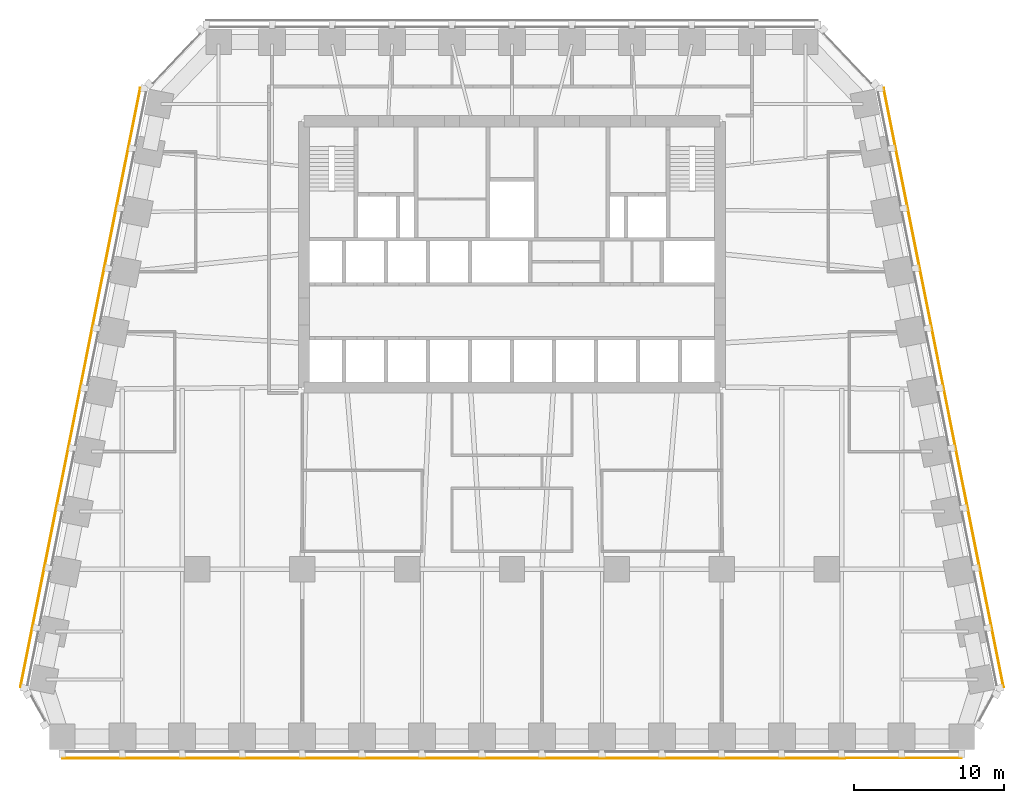
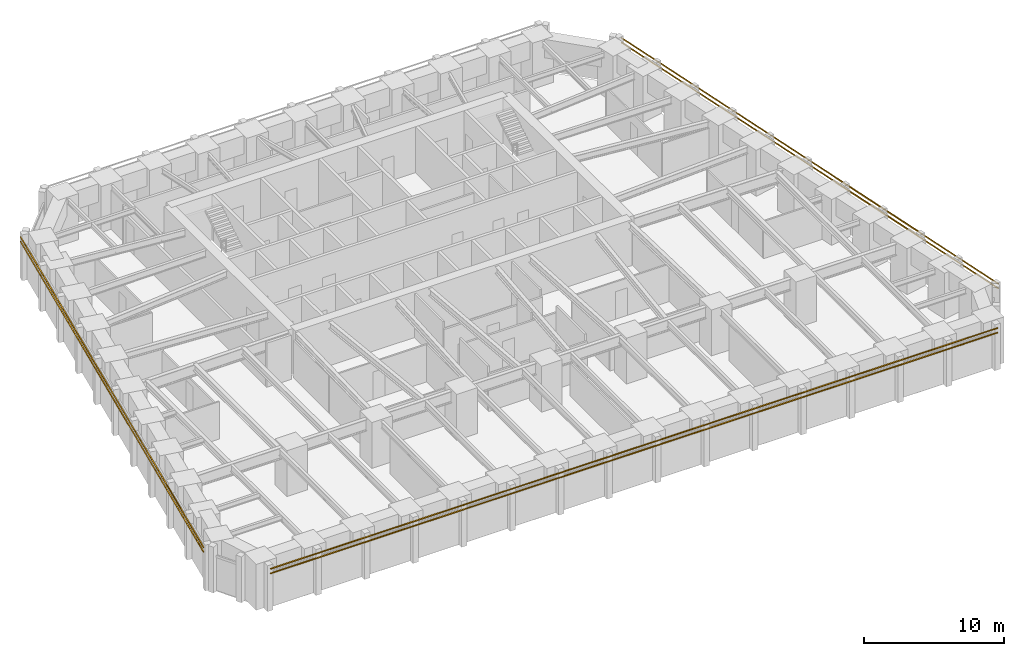
# One storey, part 9 of 10: 6 shading devices.
"""IFC4 building model written with IfcOpenShell, lengths in metres."""

from ifc_helpers import new_model, si_unit, direction, frame, origin, origin_2d, place, context, subcontext, project, spatial, rectangle, extrude, material, material_profile, profile_set, type_object, element, save


model = new_model("IFC4")

# Units and contexts
model_context = context("Model", 3, precision=1e-05, world=origin(), true_north=direction((0.0, 1.0)))
body_context = subcontext(model_context, "Body", "Model", "MODEL_VIEW")
ifc_project = project(units=[si_unit("LENGTHUNIT", "METRE"), si_unit("AREAUNIT", "SQUARE_METRE"), si_unit("VOLUMEUNIT", "CUBIC_METRE"), si_unit("PLANEANGLEUNIT", "RADIAN"), si_unit("MASSUNIT", "GRAM", prefix="KILO")], contexts=[model_context])

# Site, building, storey
site_placement = place(None, origin())
site = spatial("IfcSite", under=ifc_project, at=site_placement, CompositionType="ELEMENT")
building_placement = place(site_placement, origin())
building = spatial("IfcBuilding", under=site, at=building_placement, Name="Isbrekke Arena Tower", CompositionType="ELEMENT")
storey_placement = place(building_placement, frame((0.0, 0.0, 143.0)))
storey = spatial("IfcBuildingStorey", under=building, at=storey_placement, Name="L32", CompositionType="ELEMENT", Elevation=143.0)

# Shading devices
ifc_material = material(Name="Terracotta", Category="masonry")
ifc_material_profile = material_profile(ifc_material, rectangle(XDim=0.06005859375, YDim=0.06005859375, at=origin_2d()), Name="BAGUETTE 60X60")
ifc_profile_set = profile_set([ifc_material_profile], Name="Terracotta")
shading_device_type = type_object("IfcShadingDeviceType", Name="BG1 TERRACOTTA BAGUETTE 60 x 60", PredefinedType="USERDEFINED", material=ifc_profile_set)
for number, where, z_axis, x_axis, name in (
    (1, (-30.0, -18.60498046875, 3.280029296875), (1.0, 0.0, 0.0), (0.0, 1.0, 0.0), "BG1 terracotta baguette S1 L32"),
    (2, (-30.0, -18.60498046875, 3.679931640625), (1.0, 0.0, 0.0), (0.0, 1.0, 0.0), "BG1 terracotta baguette S2 L32"),
):
    element("IfcShadingDevice", number, at=place(storey_placement, frame(where, z_axis=z_axis, x_axis=x_axis)), inside=storey, type_object=shading_device_type, Name=name, ObjectType="TERRACOTTA BAGUETTE", PredefinedType="USERDEFINED", context=body_context, shape_type="SweptSolid", body=[
        extrude(rectangle(XDim=0.06005859375, YDim=0.06005859375, at=origin_2d()), origin(), (0.0, 0.0, 1.0), 60.0),
    ])
for number, where, z_axis, x_axis, name in (
    (3, (32.793212890625, -13.88134765625, 3.280029296875), (-0.196116135138, 0.980580675691, 0.0), (-0.980580675691, -0.196116135138, 0.0), "BG1 terracotta baguette E1 L32"),
    (4, (32.793212890625, -13.88134765625, 3.679931640625), (-0.196116135138, 0.980580675691, 0.0), (-0.980580675691, -0.196116135138, 0.0), "BG1 terracotta baguette E2 L32"),
    (5, (-24.793212890625, 26.11865234375, 3.280029296875), (-0.196116135138, -0.980580675691, 0.0), (0.980580675691, -0.196116135138, 0.0), "BG1 terracotta baguette W1 L32"),
    (6, (-24.793212890625, 26.11865234375, 3.679931640625), (-0.196116135138, -0.980580675691, 0.0), (0.980580675691, -0.196116135138, 0.0), "BG1 terracotta baguette W2 L32"),
):
    element("IfcShadingDevice", number, at=place(storey_placement, frame(where, z_axis=z_axis, x_axis=x_axis)), inside=storey, type_object=shading_device_type, Name=name, ObjectType="TERRACOTTA BAGUETTE", PredefinedType="USERDEFINED", context=body_context, shape_type="SweptSolid", body=[
        extrude(rectangle(XDim=0.06005859375, YDim=0.06005859375, at=origin_2d()), origin(), (0.0, 0.0, 1.0), 40.792236328125),
    ])

save(model, "model.ifc")
